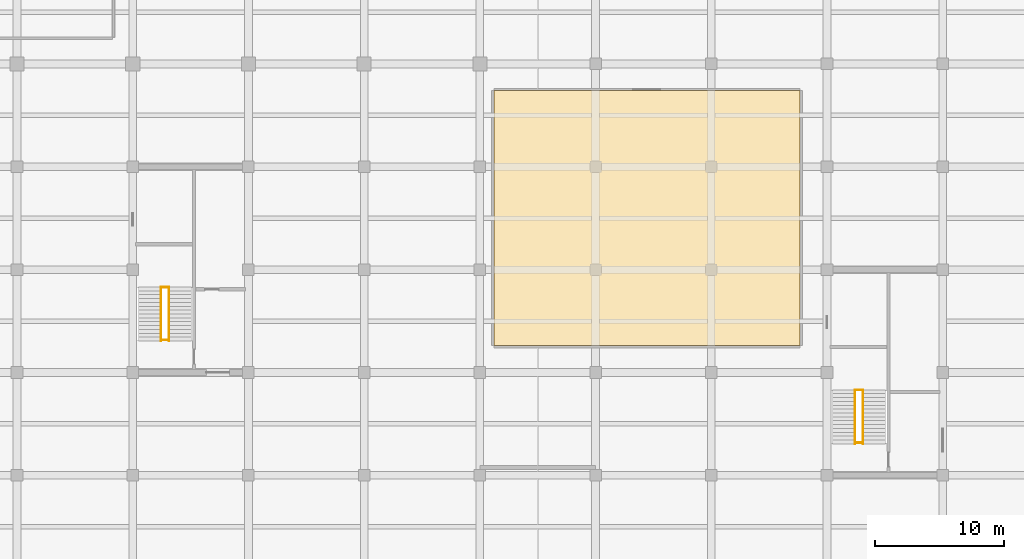
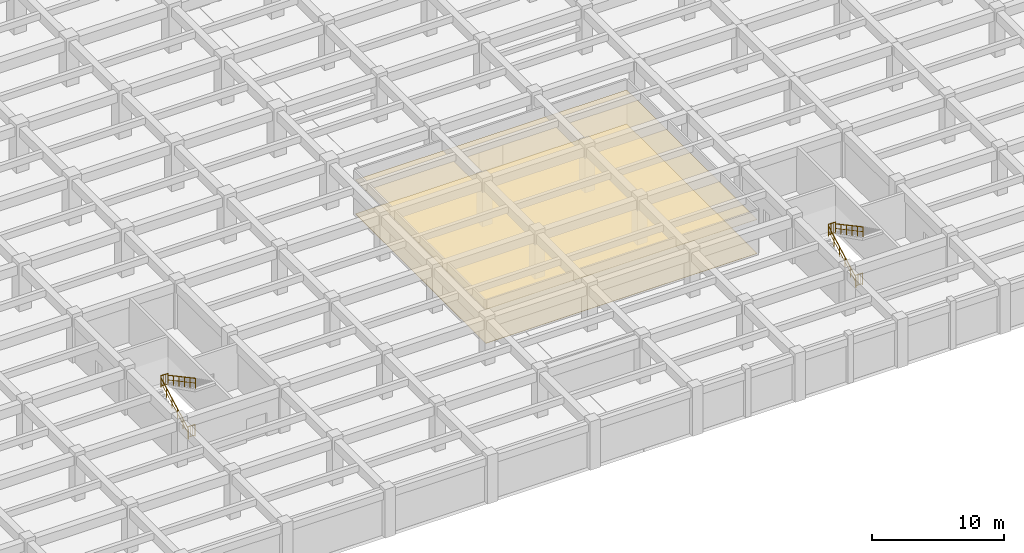
# One storey, part 20 of 26: 8 railings, 2 coverings.
"""IFC4 building model written with IfcOpenShell, lengths in metres."""

from ifc_helpers import new_model, si_unit, direction, frame, origin, origin_2d, place, context, subcontext, project, spatial, polyline, circle, outline, extrude, material, layer, layer_set, type_object, element, save


model = new_model("IFC4")

# Units and contexts
model_context = context("Model", 3, precision=1e-05, world=origin(), true_north=direction((0.0, 1.0)))
body_context = subcontext(model_context, "Body", "Model", "MODEL_VIEW")
ifc_project = project(units=[si_unit("LENGTHUNIT", "METRE"), si_unit("AREAUNIT", "SQUARE_METRE"), si_unit("VOLUMEUNIT", "CUBIC_METRE"), si_unit("PLANEANGLEUNIT", "RADIAN"), si_unit("MASSUNIT", "GRAM", prefix="KILO")], contexts=[model_context])

# Site, building, storey
site_placement = place(None, origin())
site = spatial("IfcSite", under=ifc_project, at=site_placement, CompositionType="ELEMENT")
building_placement = place(site_placement, origin())
building = spatial("IfcBuilding", under=site, at=building_placement, Name="Zaverband Oceanarium and Marine Research Institute", CompositionType="ELEMENT")
storey_placement = place(building_placement, frame((0.0, 0.0, -4.5)))
storey = spatial("IfcBuildingStorey", under=building, at=storey_placement, Name="B1", CompositionType="ELEMENT", Elevation=-4.5)

# Coverings
ifc_material_1 = material(Name="Perforated mineral-fibre acoustic ceiling tile")
ifc_layer_1 = layer(ifc_material_1, 0.02490234375, Name="Perforated mineral-fibre acoustic ceiling tile")
ifc_layer_set_1 = layer_set([ifc_layer_1], Name="Perforated mineral-fibre acoustic ceiling tile")
covering_type_1 = type_object("IfcCoveringType", Name="CLG-AC-15", PredefinedType="CEILING", material=ifc_layer_set_1)
covering_1_placement = place(storey_placement, frame((0.0, 0.0, 3.159912109375)))
element("IfcCovering", 1, at=covering_1_placement, inside=storey, type_object=covering_type_1, Name="Suspended acoustic ceiling CLG-AC-15", PredefinedType="CEILING", context=body_context, shape_type="SweptSolid", body=[
    extrude(outline(polyline([(55.08251953125, 18.08251953125), (78.91748046875, 18.08251953125), (78.91748046875, 37.91748046875), (55.08251953125, 37.91748046875), (55.08251953125, 18.08251953125)])), origin(), (0.0, 0.0, 1.0), 0.025146484375),
])
ifc_material_2 = material(Name="Polished marine terrazzo and seamless laboratory epoxy flooring")
ifc_layer_2 = layer(ifc_material_2, 0.02490234375, Name="Polished marine terrazzo and seamless laboratory epoxy flooring")
ifc_layer_set_2 = layer_set([ifc_layer_2], Name="Polished marine terrazzo and seamless laboratory epoxy flooring")
covering_type_2 = type_object("IfcCoveringType", Name="FLR-TRZ-20", PredefinedType="FLOORING", material=ifc_layer_set_2)
covering_2_placement = place(storey_placement, origin())
element("IfcCovering", 2, at=covering_2_placement, inside=storey, type_object=covering_type_2, Name="Terrazzo and marine epoxy floor finish FLR-TRZ-20", PredefinedType="FLOORING", context=body_context, shape_type="SweptSolid", body=[
    extrude(outline(polyline([(55.08251953125, 18.08251953125), (78.91748046875, 18.08251953125), (78.91748046875, 37.91748046875), (55.08251953125, 37.91748046875), (55.08251953125, 18.08251953125)])), origin(), (0.0, 0.0, 1.0), 0.02490234375),
])

# Railings
ifc_material_3 = material(Name="Steel S355", Category="steel")
ifc_layer_3 = layer(ifc_material_3, 0.06005859375, Name="Steel S355")
ifc_layer_set_3 = layer_set([ifc_layer_3], Name="Steel S355")
railing_type_1 = type_object("IfcRailingType", Name="GRD-1100", PredefinedType="BALUSTRADE", material=ifc_layer_set_3)
for number, where, name in (
    (3, (29.18994140625, 22.6298828125, 2.25), "1100 mm steel post-and-baluster safety guard GRD-1100"),
    (4, (29.18994140625, 18.530029296875, 0.0), "1100 mm steel post-and-baluster safety guard GRD-1100"),
    (5, (83.18994140625, 14.6298828125, 2.25), "1100 mm steel post-and-baluster safety guard GRD-1100"),
    (6, (83.18994140625, 10.530029296875, 0.0), "1100 mm steel post-and-baluster safety guard GRD-1100"),
):
    element("IfcRailing", number, at=place(storey_placement, frame(where)), inside=storey, type_object=railing_type_1, Name=name, PredefinedType="BALUSTRADE", context=body_context, shape_type="SweptSolid", body=[
        extrude(circle(Radius=0.02392578125, at=origin_2d()), frame((0.0, 0.0, 1.076171875), z_axis=(1.0, 0.0, 0.0), x_axis=(0.0, 1.0, 0.0)), (0.0, 0.0, 1.0), 0.6201171875),
        extrude(circle(Radius=0.009033203125, at=origin_2d()), frame((0.0, 0.0, 0.10009765625), z_axis=(1.0, 0.0, 0.0), x_axis=(0.0, 1.0, 0.0)), (0.0, 0.0, 1.0), 0.6201171875),
        extrude(circle(Radius=0.009033203125, at=origin_2d()), frame((0.206787109375, 0.0, 0.10009765625)), (0.0, 0.0, 1.0), 0.951904296875),
        extrude(circle(Radius=0.009033203125, at=origin_2d()), frame((0.413330078125, 0.0, 0.10009765625)), (0.0, 0.0, 1.0), 0.951904296875),
        extrude(circle(Radius=0.02099609375, at=origin_2d()), origin(), (0.0, 0.0, 1.0), 1.052001953125),
        extrude(circle(Radius=0.02099609375, at=origin_2d()), frame((0.6201171875, 0.0, 0.0)), (0.0, 0.0, 1.0), 1.052001953125),
    ])
ifc_layer_4 = layer(ifc_material_3, 0.050048828125, Name="Steel S355")
ifc_layer_set_4 = layer_set([ifc_layer_4], Name="Steel S355")
railing_type_2 = type_object("IfcRailingType", Name="HR-920", PredefinedType="HANDRAIL", material=ifc_layer_set_4)
railing_1_placement = place(storey_placement, frame((29.18994140625, 18.449951171875, 0.0)))
element("IfcRailing", 7, at=railing_1_placement, inside=storey, type_object=railing_type_2, Name="920 mm continuous tubular stair and ramp handrail HR-920", PredefinedType="HANDRAIL", context=body_context, shape_type="SweptSolid", body=[
    extrude(circle(Radius=0.02392578125, at=origin_2d()), frame((0.0, 0.0, 0.89599609375), z_axis=(0.0, 0.881477684796, 0.472225678258), x_axis=(-1.0, 0.0, 0.0)), (0.0, 0.0, 1.0), 4.7646484375),
    extrude(circle(Radius=0.009033203125, at=origin_2d()), frame((0.0, 0.0, 0.4599609375), z_axis=(0.0, 0.881477684796, 0.472225678258), x_axis=(-1.0, 0.0, 0.0)), (0.0, 0.0, 1.0), 4.7646484375),
    extrude(circle(Radius=0.02099609375, at=origin_2d()), origin(), (0.0, 0.0, 1.0), 0.871826171875),
    extrude(circle(Radius=0.02099609375, at=origin_2d()), frame((0.0, 0.840087890625, 0.449951171875)), (0.0, 0.0, 1.0), 0.871826171875),
    extrude(circle(Radius=0.02099609375, at=origin_2d()), frame((0.0, 1.679931640625, 0.89990234375)), (0.0, 0.0, 1.0), 0.871826171875),
    extrude(circle(Radius=0.02099609375, at=origin_2d()), frame((0.0, 2.52001953125, 1.35009765625)), (0.0, 0.0, 1.0), 0.871826171875),
    extrude(circle(Radius=0.02099609375, at=origin_2d()), frame((0.0, 3.35986328125, 1.800048828125)), (0.0, 0.0, 1.0), 0.871826171875),
    extrude(circle(Radius=0.02099609375, at=origin_2d()), frame((0.0, 4.199951171875, 2.25)), (0.0, 0.0, 1.0), 0.871826171875),
])
railing_2_placement = place(storey_placement, frame((29.81005859375, 22.64990234375, 2.25)))
element("IfcRailing", 8, at=railing_2_placement, inside=storey, type_object=railing_type_2, Name="920 mm continuous tubular stair and ramp handrail HR-920", PredefinedType="HANDRAIL", context=body_context, shape_type="SweptSolid", body=[
    extrude(circle(Radius=0.02392578125, at=origin_2d()), frame((0.0, 0.0, 0.89599609375), z_axis=(0.0, -0.881477684796, 0.472225678258), x_axis=(1.0, 0.0, 0.0)), (0.0, 0.0, 1.0), 4.7646484375),
    extrude(circle(Radius=0.009033203125, at=origin_2d()), frame((0.0, 0.0, 0.4599609375), z_axis=(0.0, -0.881477684796, 0.472225678258), x_axis=(1.0, 0.0, 0.0)), (0.0, 0.0, 1.0), 4.7646484375),
    extrude(circle(Radius=0.02099609375, at=origin_2d()), origin(), (0.0, 0.0, 1.0), 0.871826171875),
    extrude(circle(Radius=0.02099609375, at=origin_2d()), frame((0.0, -0.840087890625, 0.449951171875)), (0.0, 0.0, 1.0), 0.871826171875),
    extrude(circle(Radius=0.02099609375, at=origin_2d()), frame((0.0, -1.679931640625, 0.89990234375)), (0.0, 0.0, 1.0), 0.871826171875),
    extrude(circle(Radius=0.02099609375, at=origin_2d()), frame((0.0, -2.52001953125, 1.35009765625)), (0.0, 0.0, 1.0), 0.871826171875),
    extrude(circle(Radius=0.02099609375, at=origin_2d()), frame((0.0, -3.35986328125, 1.800048828125)), (0.0, 0.0, 1.0), 0.871826171875),
    extrude(circle(Radius=0.02099609375, at=origin_2d()), frame((0.0, -4.199951171875, 2.25)), (0.0, 0.0, 1.0), 0.871826171875),
])
railing_3_placement = place(storey_placement, frame((83.18994140625, 10.449951171875, 0.0)))
element("IfcRailing", 9, at=railing_3_placement, inside=storey, type_object=railing_type_2, Name="920 mm continuous tubular stair and ramp handrail HR-920", PredefinedType="HANDRAIL", context=body_context, shape_type="SweptSolid", body=[
    extrude(circle(Radius=0.02392578125, at=origin_2d()), frame((0.0, 0.0, 0.89599609375), z_axis=(0.0, 0.881477684796, 0.472225678258), x_axis=(-1.0, 0.0, 0.0)), (0.0, 0.0, 1.0), 4.7646484375),
    extrude(circle(Radius=0.009033203125, at=origin_2d()), frame((0.0, 0.0, 0.4599609375), z_axis=(0.0, 0.881477684796, 0.472225678258), x_axis=(-1.0, 0.0, 0.0)), (0.0, 0.0, 1.0), 4.7646484375),
    extrude(circle(Radius=0.02099609375, at=origin_2d()), origin(), (0.0, 0.0, 1.0), 0.871826171875),
    extrude(circle(Radius=0.02099609375, at=origin_2d()), frame((0.0, 0.840087890625, 0.449951171875)), (0.0, 0.0, 1.0), 0.871826171875),
    extrude(circle(Radius=0.02099609375, at=origin_2d()), frame((0.0, 1.679931640625, 0.89990234375)), (0.0, 0.0, 1.0), 0.871826171875),
    extrude(circle(Radius=0.02099609375, at=origin_2d()), frame((0.0, 2.52001953125, 1.35009765625)), (0.0, 0.0, 1.0), 0.871826171875),
    extrude(circle(Radius=0.02099609375, at=origin_2d()), frame((0.0, 3.35986328125, 1.800048828125)), (0.0, 0.0, 1.0), 0.871826171875),
    extrude(circle(Radius=0.02099609375, at=origin_2d()), frame((0.0, 4.199951171875, 2.25)), (0.0, 0.0, 1.0), 0.871826171875),
])
railing_4_placement = place(storey_placement, frame((83.81005859375, 14.64990234375, 2.25)))
element("IfcRailing", 10, at=railing_4_placement, inside=storey, type_object=railing_type_2, Name="920 mm continuous tubular stair and ramp handrail HR-920", PredefinedType="HANDRAIL", context=body_context, shape_type="SweptSolid", body=[
    extrude(circle(Radius=0.02392578125, at=origin_2d()), frame((0.0, 0.0, 0.89599609375), z_axis=(0.0, -0.881477684796, 0.472225678258), x_axis=(1.0, 0.0, 0.0)), (0.0, 0.0, 1.0), 4.7646484375),
    extrude(circle(Radius=0.009033203125, at=origin_2d()), frame((0.0, 0.0, 0.4599609375), z_axis=(0.0, -0.881477684796, 0.472225678258), x_axis=(1.0, 0.0, 0.0)), (0.0, 0.0, 1.0), 4.7646484375),
    extrude(circle(Radius=0.02099609375, at=origin_2d()), origin(), (0.0, 0.0, 1.0), 0.871826171875),
    extrude(circle(Radius=0.02099609375, at=origin_2d()), frame((0.0, -0.840087890625, 0.449951171875)), (0.0, 0.0, 1.0), 0.871826171875),
    extrude(circle(Radius=0.02099609375, at=origin_2d()), frame((0.0, -1.679931640625, 0.89990234375)), (0.0, 0.0, 1.0), 0.871826171875),
    extrude(circle(Radius=0.02099609375, at=origin_2d()), frame((0.0, -2.52001953125, 1.35009765625)), (0.0, 0.0, 1.0), 0.871826171875),
    extrude(circle(Radius=0.02099609375, at=origin_2d()), frame((0.0, -3.35986328125, 1.800048828125)), (0.0, 0.0, 1.0), 0.871826171875),
    extrude(circle(Radius=0.02099609375, at=origin_2d()), frame((0.0, -4.199951171875, 2.25)), (0.0, 0.0, 1.0), 0.871826171875),
])

save(model, "model.ifc")
